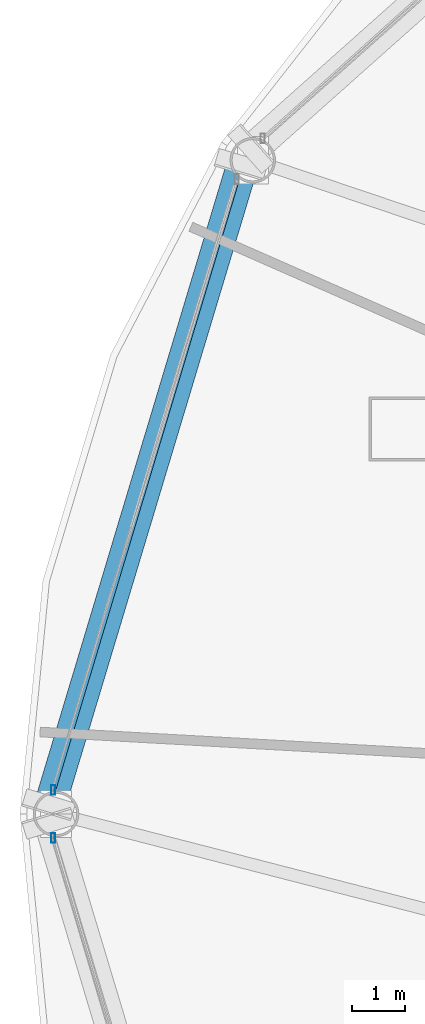
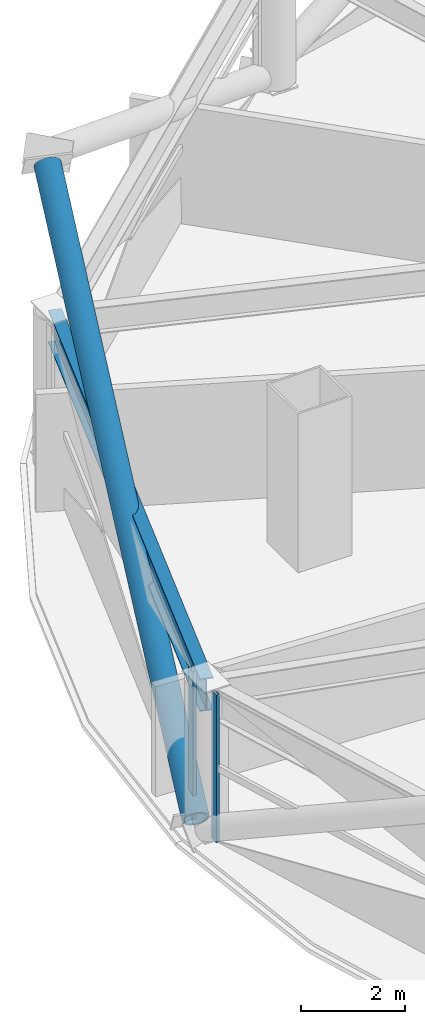
# One storey, part 6 of 30: 3 members, 1 beam, 2 elements without a shape of their own.
"""IFC4 building model written with IfcOpenShell, lengths in metres."""

from ifc_helpers import new_model, si_unit, direction, frame, origin, origin_2d, place, context, subcontext, project, spatial, hollow_rectangle, hollow_circle, i_section, extrude, material, layer, layer_set, material_profile, profile_set, type_object, element, aggregate, save


model = new_model("IFC4")

# Units and contexts
model_context = context("Model", 3, precision=1e-05, world=origin(), true_north=direction((0.0, 1.0)))
body_context = subcontext(model_context, "Body", "Model", "MODEL_VIEW")
ifc_project = project(units=[si_unit("LENGTHUNIT", "METRE"), si_unit("AREAUNIT", "SQUARE_METRE"), si_unit("VOLUMEUNIT", "CUBIC_METRE"), si_unit("PLANEANGLEUNIT", "RADIAN"), si_unit("MASSUNIT", "GRAM", prefix="KILO")], contexts=[model_context])

# Site, building, storey
site_placement = place(None, origin())
site = spatial("IfcSite", under=ifc_project, at=site_placement, CompositionType="ELEMENT")
building_placement = place(site_placement, origin())
building = spatial("IfcBuilding", under=site, at=building_placement, Name="Vantalir Tower", CompositionType="ELEMENT")
storey_placement = place(building_placement, frame((0.0, 0.0, 57.0)))
storey = spatial("IfcBuildingStorey", under=building, at=storey_placement, Name="L13", CompositionType="ELEMENT", Elevation=57.0)

# Beam
ifc_material_1 = material(Name="Steel S460", Category="steel")
ifc_material_profile_1 = material_profile(ifc_material_1, i_section(OverallWidth=0.26806640625, OverallDepth=0.77001953125, WebThickness=0.015625, FlangeThickness=0.025390625, at=origin_2d()), Name="Steel S460")
ifc_profile_set_1 = profile_set([ifc_material_profile_1], Name="Steel S460")
beam_type = type_object("IfcBeamType", Name="BM-RG-762x267", PredefinedType="USERDEFINED", material=ifc_profile_set_1)
beam_placement = place(storey_placement, frame((7.72705078125, 37.22509765625, 3.18505859375), z_axis=(-0.28809870996, -0.957600717063, 0.0), x_axis=(0.957600717063, -0.28809870996, 0.0)))
element("IfcBeam", 1, at=beam_placement, inside=storey, type_object=beam_type, Name="L13 Circumferential Ring Girder 06", ObjectType="GIRDER", PredefinedType="USERDEFINED", context=body_context, shape_type="SweptSolid", body=[
    extrude(i_section(OverallWidth=0.26806640625, OverallDepth=0.77001953125, WebThickness=0.015625, FlangeThickness=0.025390625, at=origin_2d()), origin(), (0.0, 0.0, 1.0), 12.766357421875),
])

# Curtain wall, member
ifc_material_2 = material(Name="Champagne-silver PVDF aluminium and double-silver Low-E glass", Category="aluminium")
ifc_layer = layer(ifc_material_2, 0.18994140625)
ifc_layer_set = layer_set([ifc_layer], Name="Champagne-silver PVDF aluminium and double-silver Low-E glass")
curtain_wall_type = type_object("IfcCurtainWallType", Name="CW-DIAMOND-Z1", PredefinedType="USERDEFINED", material=ifc_layer_set)
curtain_wall_1_placement = place(storey_placement, origin())
curtain_wall_1 = element("IfcCurtainWall", 2, at=curtain_wall_1_placement, inside=storey, type_object=curtain_wall_type, Name="L13 Quilted Pyramid-Diamond Curtain Wall S06", ObjectType="UNITISED CURTAIN WALL", PredefinedType="USERDEFINED")
ifc_material_3 = material(Name="Champagne-silver PVDF aluminium 6063-T6", Category="aluminium")
ifc_material_profile_2 = material_profile(ifc_material_3, hollow_rectangle(XDim=0.074951171875, YDim=0.179931640625, WallThickness=0.00390625, at=origin_2d()), Name="Champagne-silver PVDF aluminium 6063-T6")
ifc_profile_set_2 = profile_set([ifc_material_profile_2], Name="Champagne-silver PVDF aluminium 6063-T6")
member_type_1 = type_object("IfcMemberType", Name="CWM-180x75", PredefinedType="MULLION", material=ifc_profile_set_2)
member_1_placement = place(storey_placement, frame((3.993896484375, 25.449951171875, 0.044921875), z_axis=(0.0, 0.0, 1.0), x_axis=(1.0, 0.0, 0.0)))
member_1 = element("IfcMember", 3, at=member_1_placement, type_object=member_type_1, Name="CW-L13-S06 Mullion 2", PredefinedType="MULLION", context=body_context, shape_type="SweptSolid", body=[
    extrude(hollow_rectangle(XDim=0.074951171875, YDim=0.179931640625, WallThickness=0.00390625, at=origin_2d()), origin(), (0.0, 0.0, 1.0), 3.47998046875),
])
aggregate(curtain_wall_1, [member_1])

curtain_wall_2_placement = place(storey_placement, origin())
curtain_wall_2 = element("IfcCurtainWall", 4, at=curtain_wall_2_placement, inside=storey, type_object=curtain_wall_type, Name="L13 Quilted Pyramid-Diamond Curtain Wall S07", ObjectType="UNITISED CURTAIN WALL", PredefinedType="USERDEFINED")
member_2_placement = place(storey_placement, frame((3.993896484375, 24.550048828125, 0.044921875), z_axis=(0.0, 0.0, 1.0), x_axis=(1.0, 0.0, 0.0)))
member_2 = element("IfcMember", 5, at=member_2_placement, type_object=member_type_1, Name="CW-L13-S07 Mullion 1", PredefinedType="MULLION", context=body_context, shape_type="SweptSolid", body=[
    extrude(hollow_rectangle(XDim=0.074951171875, YDim=0.179931640625, WallThickness=0.00390625, at=origin_2d()), origin(), (0.0, 0.0, 1.0), 3.47998046875),
])
aggregate(curtain_wall_2, [member_2])

# Member
ifc_material_profile_3 = material_profile(ifc_material_1, hollow_circle(Radius=0.27001953125, WallThickness=0.044921875, at=origin_2d()), Name="Steel S460")
ifc_profile_set_3 = profile_set([ifc_material_profile_3], Name="Steel S460")
member_type_2 = type_object("IfcMemberType", Name="MEM-DB-540x45", PredefinedType="BRACE", material=ifc_profile_set_3)
member_3_placement = place(storey_placement, frame((3.9140625, 25.18408203125, 0.18701171875), z_axis=(0.251558260499, 0.83678974266, 0.486314063291), x_axis=(-0.957661914972, 0.287895218111, 0.0)))
element("IfcMember", 6, at=member_3_placement, inside=storey, type_object=member_type_2, Name="L13 Perimeter S460 Diagrid Brace R19R", PredefinedType="BRACE", context=body_context, shape_type="SweptSolid", body=[
    extrude(hollow_circle(Radius=0.27001953125, WallThickness=0.044921875, at=origin_2d()), origin(), (0.0, 0.0, 1.0), 14.282958984375),
])

save(model, "model.ifc")
